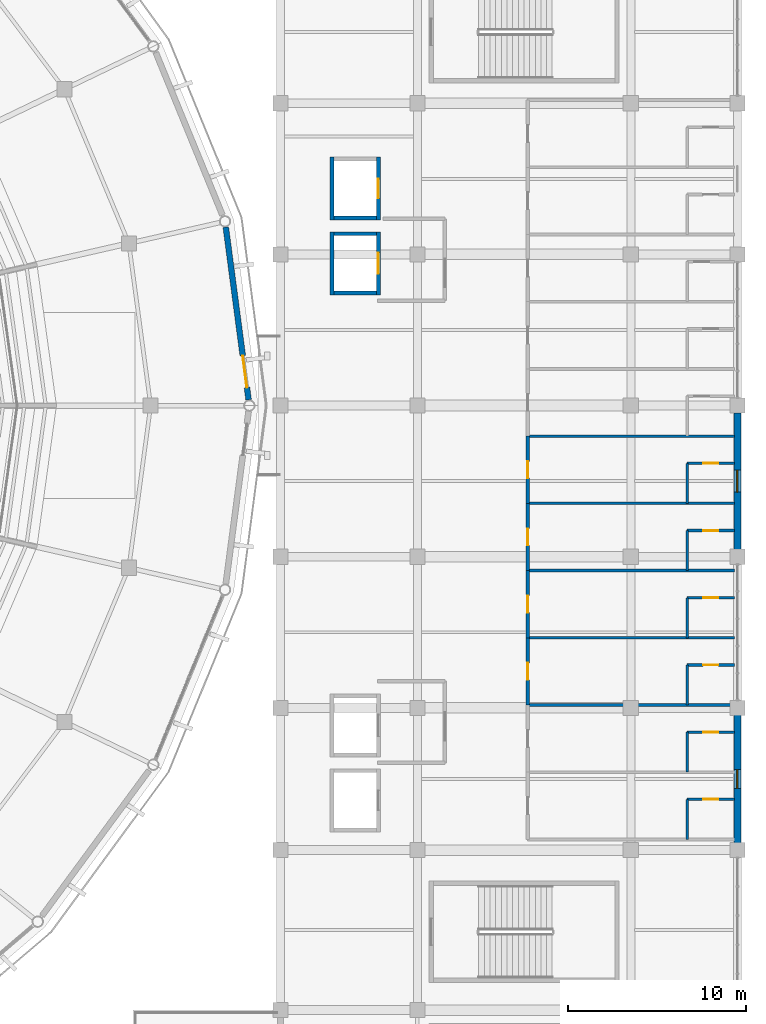
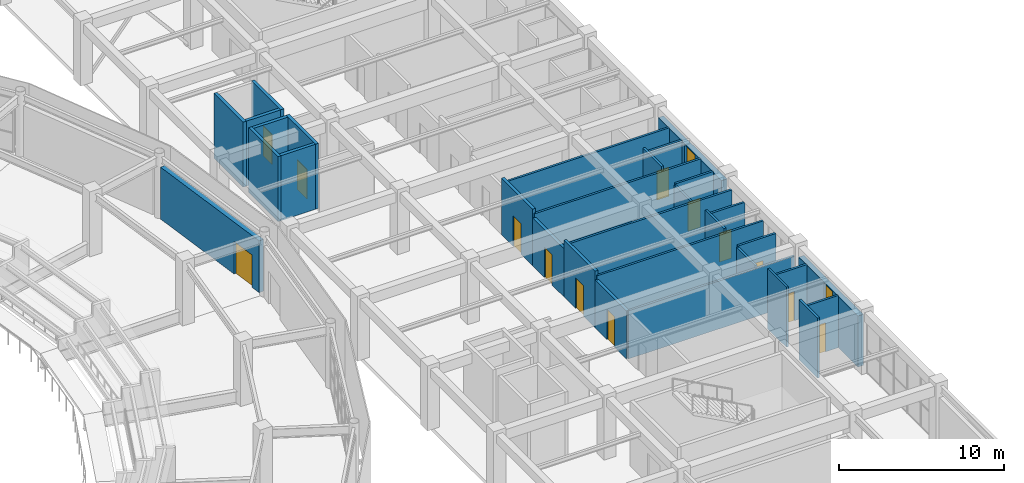
# One storey, part 104 of 122: 31 walls, 13 doors, 2 windows, 15 openings.
"""IFC4 building model written with IfcOpenShell, lengths in metres."""

from ifc_helpers import new_model, si_unit, direction, frame, frame_2d, origin, place, context, subcontext, project, spatial, rectangle, extrude, material, layer, layer_set, type_object, element, fill, save


model = new_model("IFC4")

# Units and contexts
model_context = context("Model", 3, precision=1e-05, world=origin(), true_north=direction((0.0, 1.0)))
body_context = subcontext(model_context, "Body", "Model", "MODEL_VIEW")
ifc_project = project(units=[si_unit("LENGTHUNIT", "METRE"), si_unit("AREAUNIT", "SQUARE_METRE"), si_unit("VOLUMEUNIT", "CUBIC_METRE"), si_unit("PLANEANGLEUNIT", "RADIAN"), si_unit("MASSUNIT", "GRAM", prefix="KILO")], contexts=[model_context])

# Site, building, storey
site_placement = place(None, origin())
site = spatial("IfcSite", under=ifc_project, at=site_placement, CompositionType="ELEMENT")
building_placement = place(site_placement, origin())
building = spatial("IfcBuilding", under=site, at=building_placement, Name="Cuetzalor Civic Arena", CompositionType="ELEMENT")
storey_placement = place(building_placement, frame((0.0, 0.0, 16.199951171875)))
storey = spatial("IfcBuildingStorey", under=building, at=storey_placement, Name="L03", CompositionType="ELEMENT", Elevation=16.199951171875)

# Wall, opening, door
ifc_material_1 = material(Name="Acoustic steel-stud gypsum partition", Category="steel")
ifc_layer_1 = layer(ifc_material_1, 0.14990234375)
ifc_layer_set_1 = layer_set([ifc_layer_1], Name="Acoustic steel-stud gypsum partition")
wall_type_1 = type_object("IfcWallType", Name="AcousticGypsumPartition_150", PredefinedType="PARTITIONING", material=ifc_layer_set_1)
wall_1_placement = place(storey_placement, frame((79.169921875, -22.14990234375, 0.0), z_axis=(0.0, 0.0, 1.0), x_axis=(1.0, 0.0, 0.0)))
wall_1 = element("IfcWall", 1, at=wall_1_placement, inside=storey, type_object=wall_type_1, Name="Interior Partition IWALL:L03:0439", PredefinedType="PARTITIONING", context=body_context, shape_type="SweptSolid", body=[
    extrude(rectangle(XDim=2.650146484375, YDim=0.14990234375, at=frame_2d((1.3251953125, 0.0))), origin(), (0.0, 0.0, 1.0), 3.844970703125),
])
opening_1_placement = place(wall_1_placement, frame((0.89990234375, 0.0, 0.0)))
opening_1 = element("IfcOpeningElement", 2, at=opening_1_placement, cuts=wall_1, Name="Opening ID-01", PredefinedType="OPENING", context=body_context, shape_type="SweptSolid", body=[
    extrude(rectangle(XDim=0.85009765625, YDim=2.14990234375, at=frame_2d((0.425048828125, 1.074951171875))), frame((0.0, 0.0849609375, 0.0), z_axis=(0.0, -1.0, 0.0), x_axis=(1.0, 0.0, 0.0)), (0.0, 0.0, 1.0), 0.169921875),
])
ifc_material_2 = material(Name="Painted steel frame and solid timber leaf", Category="steel")
door_type_1 = type_object("IfcDoorType", Name="InteriorSingleDoor_850x2150", OperationType="NOTDEFINED", PredefinedType="DOOR", material=ifc_material_2)
door_1_placement = place(opening_1_placement, origin())
door_1 = element("IfcDoor", 3, at=door_1_placement, inside=storey, type_object=door_type_1, Name="Door to Suite Bathroom 312", OperationType="SINGLE_SWING_LEFT", OverallHeight=2.14990234375, OverallWidth=0.85009765625, PredefinedType="DOOR", context=body_context, shape_type="SweptSolid", body=[
    extrude(rectangle(XDim=0.85009765625, YDim=2.14990234375, at=frame_2d((0.425048828125, 1.074951171875))), frame((0.0, 0.02490234375, 0.0), z_axis=(0.0, -1.0, 0.0), x_axis=(1.0, 0.0, 0.0)), (0.0, 0.0, 1.0), 0.050048828125),
])
fill(opening_1, door_1)

# Wall
wall_2_placement = place(storey_placement, frame((79.169921875, -24.39990234375, 0.0), z_axis=(0.0, 0.0, 1.0), x_axis=(0.0, 1.0, 0.0)))
element("IfcWall", 4, at=wall_2_placement, inside=storey, type_object=wall_type_1, Name="Interior Partition IWALL:L03:0440", PredefinedType="PARTITIONING", context=body_context, shape_type="SweptSolid", body=[
    extrude(rectangle(XDim=2.25, YDim=0.14990234375, at=frame_2d((1.125, 0.0))), origin(), (0.0, 0.0, 1.0), 4.43994140625),
])

# Wall, opening, door
wall_3_placement = place(storey_placement, frame((79.169921875, -18.3701171875, 0.0), z_axis=(0.0, 0.0, 1.0), x_axis=(1.0, 0.0, 0.0)))
wall_3 = element("IfcWall", 5, at=wall_3_placement, inside=storey, type_object=wall_type_1, Name="Interior Partition IWALL:L03:0443", PredefinedType="PARTITIONING", context=body_context, shape_type="SweptSolid", body=[
    extrude(rectangle(XDim=2.650146484375, YDim=0.14990234375, at=frame_2d((1.3251953125, 0.0))), origin(), (0.0, 0.0, 1.0), 3.844970703125),
])
opening_2_placement = place(wall_3_placement, frame((0.89990234375, 0.0, 0.0)))
opening_2 = element("IfcOpeningElement", 6, at=opening_2_placement, cuts=wall_3, Name="Opening ID-01", PredefinedType="OPENING", context=body_context, shape_type="SweptSolid", body=[
    extrude(rectangle(XDim=0.85009765625, YDim=2.14990234375, at=frame_2d((0.425048828125, 1.074951171875))), frame((0.0, 0.0849609375, 0.0), z_axis=(0.0, -1.0, 0.0), x_axis=(1.0, 0.0, 0.0)), (0.0, 0.0, 1.0), 0.169921875),
])
door_2_placement = place(opening_2_placement, origin())
door_2 = element("IfcDoor", 7, at=door_2_placement, inside=storey, type_object=door_type_1, Name="Door to Suite Bathroom 313", OperationType="SINGLE_SWING_LEFT", OverallHeight=2.14990234375, OverallWidth=0.85009765625, PredefinedType="DOOR", context=body_context, shape_type="SweptSolid", body=[
    extrude(rectangle(XDim=0.85009765625, YDim=2.14990234375, at=frame_2d((0.425048828125, 1.074951171875))), frame((0.0, 0.02490234375, 0.0), z_axis=(0.0, -1.0, 0.0), x_axis=(1.0, 0.0, 0.0)), (0.0, 0.0, 1.0), 0.050048828125),
])
fill(opening_2, door_2)

# Walls
wall_4_placement = place(storey_placement, frame((79.169921875, -20.6201171875, 0.0), z_axis=(0.0, 0.0, 1.0), x_axis=(0.0, 1.0, 0.0)))
element("IfcWall", 8, at=wall_4_placement, inside=storey, type_object=wall_type_1, Name="Interior Partition IWALL:L03:0444", PredefinedType="PARTITIONING", context=body_context, shape_type="SweptSolid", body=[
    extrude(rectangle(XDim=2.25, YDim=0.14990234375, at=frame_2d((1.125, 0.0))), origin(), (0.0, 0.0, 1.0), 4.43994140625),
])
wall_5_placement = place(storey_placement, frame((70.199951171875, -16.840087890625, 0.0), z_axis=(0.0, 0.0, 1.0), x_axis=(1.0, 0.0, 0.0)))
element("IfcWall", 9, at=wall_5_placement, inside=storey, type_object=wall_type_1, Name="Interior Partition IWALL:L03:0446", PredefinedType="PARTITIONING", context=body_context, shape_type="SweptSolid", body=[
    extrude(rectangle(XDim=11.6201171875, YDim=0.14990234375, at=frame_2d((5.81005859375, 0.0))), origin(), (0.0, 0.0, 1.0), 3.545166015625),
])

# Wall, opening, door
wall_6_placement = place(storey_placement, frame((79.169921875, -14.590087890625, 0.0), z_axis=(0.0, 0.0, 1.0), x_axis=(1.0, 0.0, 0.0)))
wall_6 = element("IfcWall", 10, at=wall_6_placement, inside=storey, type_object=wall_type_1, Name="Interior Partition IWALL:L03:0447", PredefinedType="PARTITIONING", context=body_context, shape_type="SweptSolid", body=[
    extrude(rectangle(XDim=2.650146484375, YDim=0.14990234375, at=frame_2d((1.3251953125, 0.0))), origin(), (0.0, 0.0, 1.0), 3.844970703125),
])
opening_3_placement = place(wall_6_placement, frame((0.89990234375, 0.0, 0.0)))
opening_3 = element("IfcOpeningElement", 11, at=opening_3_placement, cuts=wall_6, Name="Opening ID-01", PredefinedType="OPENING", context=body_context, shape_type="SweptSolid", body=[
    extrude(rectangle(XDim=0.85009765625, YDim=2.14990234375, at=frame_2d((0.425048828125, 1.074951171875))), frame((0.0, 0.0849609375, 0.0), z_axis=(0.0, -1.0, 0.0), x_axis=(1.0, 0.0, 0.0)), (0.0, 0.0, 1.0), 0.169921875),
])
door_3_placement = place(opening_3_placement, origin())
door_3 = element("IfcDoor", 12, at=door_3_placement, inside=storey, type_object=door_type_1, Name="Door to Suite Bathroom 314", OperationType="SINGLE_SWING_LEFT", OverallHeight=2.14990234375, OverallWidth=0.85009765625, PredefinedType="DOOR", context=body_context, shape_type="SweptSolid", body=[
    extrude(rectangle(XDim=0.85009765625, YDim=2.14990234375, at=frame_2d((0.425048828125, 1.074951171875))), frame((0.0, 0.02490234375, 0.0), z_axis=(0.0, -1.0, 0.0), x_axis=(1.0, 0.0, 0.0)), (0.0, 0.0, 1.0), 0.050048828125),
])
fill(opening_3, door_3)

# Walls
wall_7_placement = place(storey_placement, frame((79.169921875, -16.840087890625, 0.0), z_axis=(0.0, 0.0, 1.0), x_axis=(0.0, 1.0, 0.0)))
element("IfcWall", 13, at=wall_7_placement, inside=storey, type_object=wall_type_1, Name="Interior Partition IWALL:L03:0448", PredefinedType="PARTITIONING", context=body_context, shape_type="SweptSolid", body=[
    extrude(rectangle(XDim=2.25, YDim=0.14990234375, at=frame_2d((1.125, 0.0))), origin(), (0.0, 0.0, 1.0), 3.7451171875),
])
wall_8_placement = place(storey_placement, frame((70.199951171875, -13.06005859375, 0.0), z_axis=(0.0, 0.0, 1.0), x_axis=(1.0, 0.0, 0.0)))
element("IfcWall", 14, at=wall_8_placement, inside=storey, type_object=wall_type_1, Name="Interior Partition IWALL:L03:0450", PredefinedType="PARTITIONING", context=body_context, shape_type="SweptSolid", body=[
    extrude(rectangle(XDim=11.6201171875, YDim=0.14990234375, at=frame_2d((5.81005859375, 0.0))), origin(), (0.0, 0.0, 1.0), 3.844970703125),
])

# Wall, opening, door
wall_9_placement = place(storey_placement, frame((79.169921875, -10.81005859375, 0.0), z_axis=(0.0, 0.0, 1.0), x_axis=(1.0, 0.0, 0.0)))
wall_9 = element("IfcWall", 15, at=wall_9_placement, inside=storey, type_object=wall_type_1, Name="Interior Partition IWALL:L03:0451", PredefinedType="PARTITIONING", context=body_context, shape_type="SweptSolid", body=[
    extrude(rectangle(XDim=2.650146484375, YDim=0.14990234375, at=frame_2d((1.3251953125, 0.0))), origin(), (0.0, 0.0, 1.0), 3.844970703125),
])
opening_4_placement = place(wall_9_placement, frame((0.89990234375, 0.0, 0.0)))
opening_4 = element("IfcOpeningElement", 16, at=opening_4_placement, cuts=wall_9, Name="Opening ID-01", PredefinedType="OPENING", context=body_context, shape_type="SweptSolid", body=[
    extrude(rectangle(XDim=0.85009765625, YDim=2.14990234375, at=frame_2d((0.425048828125, 1.074951171875))), frame((0.0, 0.0849609375, 0.0), z_axis=(0.0, -1.0, 0.0), x_axis=(1.0, 0.0, 0.0)), (0.0, 0.0, 1.0), 0.169921875),
])
door_4_placement = place(opening_4_placement, origin())
door_4 = element("IfcDoor", 17, at=door_4_placement, inside=storey, type_object=door_type_1, Name="Door to Suite Bathroom 315", OperationType="SINGLE_SWING_LEFT", OverallHeight=2.14990234375, OverallWidth=0.85009765625, PredefinedType="DOOR", context=body_context, shape_type="SweptSolid", body=[
    extrude(rectangle(XDim=0.85009765625, YDim=2.14990234375, at=frame_2d((0.425048828125, 1.074951171875))), frame((0.0, 0.02490234375, 0.0), z_axis=(0.0, -1.0, 0.0), x_axis=(1.0, 0.0, 0.0)), (0.0, 0.0, 1.0), 0.050048828125),
])
fill(opening_4, door_4)

# Walls
wall_10_placement = place(storey_placement, frame((79.169921875, -13.06005859375, 0.0), z_axis=(0.0, 0.0, 1.0), x_axis=(0.0, 1.0, 0.0)))
element("IfcWall", 18, at=wall_10_placement, inside=storey, type_object=wall_type_1, Name="Interior Partition IWALL:L03:0452", PredefinedType="PARTITIONING", context=body_context, shape_type="SweptSolid", body=[
    extrude(rectangle(XDim=2.25, YDim=0.14990234375, at=frame_2d((1.125, 0.0))), origin(), (0.0, 0.0, 1.0), 4.18212890625),
])
wall_11_placement = place(storey_placement, frame((70.199951171875, -9.280029296875, 0.0), z_axis=(0.0, 0.0, 1.0), x_axis=(1.0, 0.0, 0.0)))
element("IfcWall", 19, at=wall_11_placement, inside=storey, type_object=wall_type_1, Name="Interior Partition IWALL:L03:0454", PredefinedType="PARTITIONING", context=body_context, shape_type="SweptSolid", body=[
    extrude(rectangle(XDim=11.6201171875, YDim=0.14990234375, at=frame_2d((5.81005859375, 0.0))), origin(), (0.0, 0.0, 1.0), 3.844970703125),
])

# Wall, opening, door
wall_12_placement = place(storey_placement, frame((79.169921875, -7.030029296875, 0.0), z_axis=(0.0, 0.0, 1.0), x_axis=(1.0, 0.0, 0.0)))
wall_12 = element("IfcWall", 20, at=wall_12_placement, inside=storey, type_object=wall_type_1, Name="Interior Partition IWALL:L03:0455", PredefinedType="PARTITIONING", context=body_context, shape_type="SweptSolid", body=[
    extrude(rectangle(XDim=2.650146484375, YDim=0.14990234375, at=frame_2d((1.3251953125, 0.0))), origin(), (0.0, 0.0, 1.0), 3.844970703125),
])
opening_5_placement = place(wall_12_placement, frame((0.89990234375, 0.0, 0.0)))
opening_5 = element("IfcOpeningElement", 21, at=opening_5_placement, cuts=wall_12, Name="Opening ID-01", PredefinedType="OPENING", context=body_context, shape_type="SweptSolid", body=[
    extrude(rectangle(XDim=0.85009765625, YDim=2.14990234375, at=frame_2d((0.425048828125, 1.074951171875))), frame((0.0, 0.0849609375, 0.0), z_axis=(0.0, -1.0, 0.0), x_axis=(1.0, 0.0, 0.0)), (0.0, 0.0, 1.0), 0.169921875),
])
door_5_placement = place(opening_5_placement, origin())
door_5 = element("IfcDoor", 22, at=door_5_placement, inside=storey, type_object=door_type_1, Name="Door to Suite Bathroom 316", OperationType="SINGLE_SWING_LEFT", OverallHeight=2.14990234375, OverallWidth=0.85009765625, PredefinedType="DOOR", context=body_context, shape_type="SweptSolid", body=[
    extrude(rectangle(XDim=0.85009765625, YDim=2.14990234375, at=frame_2d((0.425048828125, 1.074951171875))), frame((0.0, 0.02490234375, 0.0), z_axis=(0.0, -1.0, 0.0), x_axis=(1.0, 0.0, 0.0)), (0.0, 0.0, 1.0), 0.050048828125),
])
fill(opening_5, door_5)

# Walls
wall_13_placement = place(storey_placement, frame((79.169921875, -9.280029296875, 0.0), z_axis=(0.0, 0.0, 1.0), x_axis=(0.0, 1.0, 0.0)))
element("IfcWall", 23, at=wall_13_placement, inside=storey, type_object=wall_type_1, Name="Interior Partition IWALL:L03:0456", PredefinedType="PARTITIONING", context=body_context, shape_type="SweptSolid", body=[
    extrude(rectangle(XDim=2.25, YDim=0.14990234375, at=frame_2d((1.125, 0.0))), origin(), (0.0, 0.0, 1.0), 3.7451171875),
])
wall_14_placement = place(storey_placement, frame((70.199951171875, -5.5, 0.0), z_axis=(0.0, 0.0, 1.0), x_axis=(1.0, 0.0, 0.0)))
element("IfcWall", 24, at=wall_14_placement, inside=storey, type_object=wall_type_1, Name="Interior Partition IWALL:L03:0458", PredefinedType="PARTITIONING", context=body_context, shape_type="SweptSolid", body=[
    extrude(rectangle(XDim=11.6201171875, YDim=0.14990234375, at=frame_2d((5.81005859375, 0.0))), origin(), (0.0, 0.0, 1.0), 3.844970703125),
])

# Wall, opening, door
wall_15_placement = place(storey_placement, frame((79.169921875, -3.25, 0.0), z_axis=(0.0, 0.0, 1.0), x_axis=(1.0, 0.0, 0.0)))
wall_15 = element("IfcWall", 25, at=wall_15_placement, inside=storey, type_object=wall_type_1, Name="Interior Partition IWALL:L03:0459", PredefinedType="PARTITIONING", context=body_context, shape_type="SweptSolid", body=[
    extrude(rectangle(XDim=2.650146484375, YDim=0.14990234375, at=frame_2d((1.3251953125, 0.0))), origin(), (0.0, 0.0, 1.0), 3.844970703125),
])
opening_6_placement = place(wall_15_placement, frame((0.89990234375, 0.0, 0.0)))
opening_6 = element("IfcOpeningElement", 26, at=opening_6_placement, cuts=wall_15, Name="Opening ID-01", PredefinedType="OPENING", context=body_context, shape_type="SweptSolid", body=[
    extrude(rectangle(XDim=0.85009765625, YDim=2.14990234375, at=frame_2d((0.425048828125, 1.074951171875))), frame((0.0, 0.0849609375, 0.0), z_axis=(0.0, -1.0, 0.0), x_axis=(1.0, 0.0, 0.0)), (0.0, 0.0, 1.0), 0.169921875),
])
door_6_placement = place(opening_6_placement, origin())
door_6 = element("IfcDoor", 27, at=door_6_placement, inside=storey, type_object=door_type_1, Name="Door to Suite Bathroom 317", OperationType="SINGLE_SWING_LEFT", OverallHeight=2.14990234375, OverallWidth=0.85009765625, PredefinedType="DOOR", context=body_context, shape_type="SweptSolid", body=[
    extrude(rectangle(XDim=0.85009765625, YDim=2.14990234375, at=frame_2d((0.425048828125, 1.074951171875))), frame((0.0, 0.02490234375, 0.0), z_axis=(0.0, -1.0, 0.0), x_axis=(1.0, 0.0, 0.0)), (0.0, 0.0, 1.0), 0.050048828125),
])
fill(opening_6, door_6)

# Walls
wall_16_placement = place(storey_placement, frame((79.169921875, -5.5, 0.0), z_axis=(0.0, 0.0, 1.0), x_axis=(0.0, 1.0, 0.0)))
element("IfcWall", 28, at=wall_16_placement, inside=storey, type_object=wall_type_1, Name="Interior Partition IWALL:L03:0460", PredefinedType="PARTITIONING", context=body_context, shape_type="SweptSolid", body=[
    extrude(rectangle(XDim=2.25, YDim=0.14990234375, at=frame_2d((1.125, 0.0))), origin(), (0.0, 0.0, 1.0), 4.18212890625),
])
wall_17_placement = place(storey_placement, frame((70.199951171875, -1.719970703125, 0.0), z_axis=(0.0, 0.0, 1.0), x_axis=(1.0, 0.0, 0.0)))
element("IfcWall", 29, at=wall_17_placement, inside=storey, type_object=wall_type_1, Name="Interior Partition IWALL:L03:0462", PredefinedType="PARTITIONING", context=body_context, shape_type="SweptSolid", body=[
    extrude(rectangle(XDim=11.6201171875, YDim=0.14990234375, at=frame_2d((5.81005859375, 0.0))), origin(), (0.0, 0.0, 1.0), 3.844970703125),
])

# Wall, opening, door
ifc_material_3 = material(Name="Fire-rated masonry and gypsum partition", Category="masonry")
ifc_layer_2 = layer(ifc_material_3, 0.199951171875)
ifc_layer_set_2 = layer_set([ifc_layer_2], Name="Fire-rated masonry and gypsum partition")
wall_type_2 = type_object("IfcWallType", Name="FireCompartmentWall_200", PredefinedType="PARTITIONING", material=ifc_layer_set_2)
wall_18_placement = place(storey_placement, frame((70.199951171875, -16.840087890625, 0.0), z_axis=(0.0, 0.0, 1.0), x_axis=(0.0, 1.0, 0.0)))
wall_18 = element("IfcWall", 30, at=wall_18_placement, inside=storey, type_object=wall_type_2, Name="Interior Partition IWALL:L03:0449", PredefinedType="PARTITIONING", context=body_context, shape_type="SweptSolid", body=[
    extrude(rectangle(XDim=3.780029296875, YDim=0.199951171875, at=frame_2d((1.89013671875, 0.0))), origin(), (0.0, 0.0, 1.0), 3.545166015625),
])
opening_7_placement = place(wall_18_placement, frame((1.4150390625, 0.0, 0.0)))
opening_7 = element("IfcOpeningElement", 31, at=opening_7_placement, cuts=wall_18, Name="Opening ID-05", PredefinedType="OPENING", context=body_context, shape_type="SweptSolid", body=[
    extrude(rectangle(XDim=0.949951171875, YDim=2.25, at=frame_2d((0.47509765625, 1.125))), frame((0.0, 0.10986328125, 0.0), z_axis=(0.0, -1.0, 0.0), x_axis=(1.0, 0.0, 0.0)), (0.0, 0.0, 1.0), 0.219970703125),
])
ifc_material_4 = material(Name="Bronze-clad fire-rated acoustic timber door", Category="wood")
door_type_2 = type_object("IfcDoorType", Name="SuiteEntryDoor_950x2150", OperationType="NOTDEFINED", PredefinedType="DOOR", material=ifc_material_4)
door_7_placement = place(opening_7_placement, origin())
door_7 = element("IfcDoor", 32, at=door_7_placement, inside=storey, type_object=door_type_2, Name="Door to Private Viewing Suite 314", OperationType="SINGLE_SWING_RIGHT", OverallHeight=2.25, OverallWidth=0.949951171875, PredefinedType="DOOR", context=body_context, shape_type="SweptSolid", body=[
    extrude(rectangle(XDim=0.949951171875, YDim=2.25, at=frame_2d((0.47509765625, 1.125))), frame((0.0, 0.02490234375, 0.0), z_axis=(0.0, -1.0, 0.0), x_axis=(1.0, 0.0, 0.0)), (0.0, 0.0, 1.0), 0.050048828125),
])
fill(opening_7, door_7)

wall_19_placement = place(storey_placement, frame((70.199951171875, -13.06005859375, 0.0), z_axis=(0.0, 0.0, 1.0), x_axis=(0.0, 1.0, 0.0)))
wall_19 = element("IfcWall", 33, at=wall_19_placement, inside=storey, type_object=wall_type_2, Name="Interior Partition IWALL:L03:0453", PredefinedType="PARTITIONING", context=body_context, shape_type="SweptSolid", body=[
    extrude(rectangle(XDim=3.780029296875, YDim=0.199951171875, at=frame_2d((1.89013671875, 0.0))), origin(), (0.0, 0.0, 1.0), 4.18212890625),
])
opening_8_placement = place(wall_19_placement, frame((1.4150390625, 0.0, 0.0)))
opening_8 = element("IfcOpeningElement", 34, at=opening_8_placement, cuts=wall_19, Name="Opening ID-05", PredefinedType="OPENING", context=body_context, shape_type="SweptSolid", body=[
    extrude(rectangle(XDim=0.949951171875, YDim=2.25, at=frame_2d((0.47509765625, 1.125))), frame((0.0, 0.10986328125, 0.0), z_axis=(0.0, -1.0, 0.0), x_axis=(1.0, 0.0, 0.0)), (0.0, 0.0, 1.0), 0.219970703125),
])
door_8_placement = place(opening_8_placement, origin())
door_8 = element("IfcDoor", 35, at=door_8_placement, inside=storey, type_object=door_type_2, Name="Door to Private Viewing Suite 315", OperationType="SINGLE_SWING_RIGHT", OverallHeight=2.25, OverallWidth=0.949951171875, PredefinedType="DOOR", context=body_context, shape_type="SweptSolid", body=[
    extrude(rectangle(XDim=0.949951171875, YDim=2.25, at=frame_2d((0.47509765625, 1.125))), frame((0.0, 0.02490234375, 0.0), z_axis=(0.0, -1.0, 0.0), x_axis=(1.0, 0.0, 0.0)), (0.0, 0.0, 1.0), 0.050048828125),
])
fill(opening_8, door_8)

wall_20_placement = place(storey_placement, frame((70.199951171875, -9.280029296875, 0.0), z_axis=(0.0, 0.0, 1.0), x_axis=(0.0, 1.0, 0.0)))
wall_20 = element("IfcWall", 36, at=wall_20_placement, inside=storey, type_object=wall_type_2, Name="Interior Partition IWALL:L03:0457", PredefinedType="PARTITIONING", context=body_context, shape_type="SweptSolid", body=[
    extrude(rectangle(XDim=3.780029296875, YDim=0.199951171875, at=frame_2d((1.89013671875, 0.0))), origin(), (0.0, 0.0, 1.0), 3.545166015625),
])
opening_9_placement = place(wall_20_placement, frame((1.4150390625, 0.0, 0.0)))
opening_9 = element("IfcOpeningElement", 37, at=opening_9_placement, cuts=wall_20, Name="Opening ID-05", PredefinedType="OPENING", context=body_context, shape_type="SweptSolid", body=[
    extrude(rectangle(XDim=0.949951171875, YDim=2.25, at=frame_2d((0.47509765625, 1.125))), frame((0.0, 0.10986328125, 0.0), z_axis=(0.0, -1.0, 0.0), x_axis=(1.0, 0.0, 0.0)), (0.0, 0.0, 1.0), 0.219970703125),
])
door_9_placement = place(opening_9_placement, origin())
door_9 = element("IfcDoor", 38, at=door_9_placement, inside=storey, type_object=door_type_2, Name="Door to Private Viewing Suite 316", OperationType="SINGLE_SWING_RIGHT", OverallHeight=2.25, OverallWidth=0.949951171875, PredefinedType="DOOR", context=body_context, shape_type="SweptSolid", body=[
    extrude(rectangle(XDim=0.949951171875, YDim=2.25, at=frame_2d((0.47509765625, 1.125))), frame((0.0, 0.02490234375, 0.0), z_axis=(0.0, -1.0, 0.0), x_axis=(1.0, 0.0, 0.0)), (0.0, 0.0, 1.0), 0.050048828125),
])
fill(opening_9, door_9)

wall_21_placement = place(storey_placement, frame((70.199951171875, -5.5, 0.0), z_axis=(0.0, 0.0, 1.0), x_axis=(0.0, 1.0, 0.0)))
wall_21 = element("IfcWall", 39, at=wall_21_placement, inside=storey, type_object=wall_type_2, Name="Interior Partition IWALL:L03:0461", PredefinedType="PARTITIONING", context=body_context, shape_type="SweptSolid", body=[
    extrude(rectangle(XDim=3.780029296875, YDim=0.199951171875, at=frame_2d((1.89013671875, 0.0))), origin(), (0.0, 0.0, 1.0), 4.18212890625),
])
opening_10_placement = place(wall_21_placement, frame((1.4150390625, 0.0, 0.0)))
opening_10 = element("IfcOpeningElement", 40, at=opening_10_placement, cuts=wall_21, Name="Opening ID-05", PredefinedType="OPENING", context=body_context, shape_type="SweptSolid", body=[
    extrude(rectangle(XDim=0.949951171875, YDim=2.25, at=frame_2d((0.47509765625, 1.125))), frame((0.0, 0.10986328125, 0.0), z_axis=(0.0, -1.0, 0.0), x_axis=(1.0, 0.0, 0.0)), (0.0, 0.0, 1.0), 0.219970703125),
])
door_10_placement = place(opening_10_placement, origin())
door_10 = element("IfcDoor", 41, at=door_10_placement, inside=storey, type_object=door_type_2, Name="Door to Private Viewing Suite 317", OperationType="SINGLE_SWING_RIGHT", OverallHeight=2.25, OverallWidth=0.949951171875, PredefinedType="DOOR", context=body_context, shape_type="SweptSolid", body=[
    extrude(rectangle(XDim=0.949951171875, YDim=2.25, at=frame_2d((0.47509765625, 1.125))), frame((0.0, 0.02490234375, 0.0), z_axis=(0.0, -1.0, 0.0), x_axis=(1.0, 0.0, 0.0)), (0.0, 0.0, 1.0), 0.050048828125),
])
fill(opening_10, door_10)

ifc_material_5 = material(Name="Precast concrete C40/50 insulated cladding", Category="concrete")
ifc_layer_3 = layer(ifc_material_5, 0.320068359375)
ifc_layer_set_3 = layer_set([ifc_layer_3], Name="Precast concrete C40/50 insulated cladding")
wall_type_3 = type_object("IfcWallType", Name="InsulatedPrecastWall_320", PredefinedType="SOLIDWALL", material=ifc_layer_set_3)
wall_22_placement = place(storey_placement, frame((53.224853515625, 10.036865234375, 0.0), z_axis=(0.0, 0.0, 1.0), x_axis=(0.130894016981, -0.991396366908, 0.0)))
wall_22 = element("IfcWall", 42, at=wall_22_placement, inside=storey, type_object=wall_type_3, Name="Drum Acoustic Backing Wall L03-041", PredefinedType="SOLIDWALL", context=body_context, shape_type="SweptSolid", body=[
    extrude(rectangle(XDim=9.799560546875, YDim=0.320068359375, at=frame_2d((4.89990234375, 0.0))), origin(), (0.0, 0.0, 1.0), 3.83203125),
])
opening_11_placement = place(wall_22_placement, frame((7.299560546875, 0.0, 0.0)))
opening_11 = element("IfcOpeningElement", 43, at=opening_11_placement, cuts=wall_22, Name="Opening ED-09", PredefinedType="OPENING", context=body_context, shape_type="SweptSolid", body=[
    extrude(rectangle(XDim=1.800048828125, YDim=2.39990234375, at=frame_2d((0.89990234375, 1.199951171875))), frame((0.0, 0.169921875, 0.0), z_axis=(0.0, -1.0, 0.0), x_axis=(1.0, 0.0, 0.0)), (0.0, 0.0, 1.0), 0.340087890625),
])
ifc_material_6 = material(Name="Thermally broken bronze steel and laminated glass", Category="steel")
door_type_3 = type_object("IfcDoorType", Name="RoofGardenGlazedDoor_1800x2400", OperationType="DOUBLE_DOOR_SINGLE_SWING", PredefinedType="DOOR", material=ifc_material_6)
door_11_placement = place(opening_11_placement, origin())
door_11 = element("IfcDoor", 44, at=door_11_placement, inside=storey, type_object=door_type_3, Name="Seismic Bridge Circulation Door L03-S01", OperationType="DOUBLE_DOOR_SINGLE_SWING", OverallHeight=2.39990234375, OverallWidth=1.800048828125, PredefinedType="DOOR", context=body_context, shape_type="SweptSolid", body=[
    extrude(rectangle(XDim=1.800048828125, YDim=2.39990234375, at=frame_2d((0.89990234375, 1.199951171875))), frame((0.0, 0.02490234375, 0.0), z_axis=(0.0, -1.0, 0.0), x_axis=(1.0, 0.0, 0.0)), (0.0, 0.0, 1.0), 0.050048828125),
])
fill(opening_11, door_11)

# Walls
ifc_material_7 = material(Name="Concrete C40/50", Category="concrete")
ifc_layer_4 = layer(ifc_material_7, 0.219970703125)
ifc_layer_set_4 = layer_set([ifc_layer_4], Name="Concrete C40/50")
wall_type_4 = type_object("IfcWallType", Name="LiftShaftShearWall_220", PredefinedType="SHEAR", material=ifc_layer_set_4)
wall_23_placement = place(storey_placement, frame((59.18994140625, 6.22998046875, 0.0), z_axis=(0.0, 0.0, 1.0), x_axis=(0.0, 1.0, 0.0)))
element("IfcWall", 45, at=wall_23_placement, inside=storey, type_object=wall_type_4, Name="Lift Shaft Wall LF-04-L03-W", PredefinedType="SHEAR", context=body_context, shape_type="SweptSolid", body=[
    extrude(rectangle(XDim=3.5400390625, YDim=0.219970703125, at=frame_2d((1.77001953125, 0.0))), origin(), (0.0, 0.0, 1.0), 4.800048828125),
])
wall_24_placement = place(storey_placement, frame((59.300048828125, 9.659912109375, 0.0), z_axis=(0.0, 0.0, 1.0), x_axis=(1.0, 0.0, 0.0)))
element("IfcWall", 46, at=wall_24_placement, inside=storey, type_object=wall_type_4, Name="Lift Shaft Wall LF-04-L03-N", PredefinedType="SHEAR", context=body_context, shape_type="SweptSolid", body=[
    extrude(rectangle(XDim=2.39990234375, YDim=0.219970703125, at=frame_2d((1.199951171875, 0.0))), origin(), (0.0, 0.0, 1.0), 4.800048828125),
])

# Wall, opening, door
wall_25_placement = place(storey_placement, frame((61.81005859375, 9.77001953125, 0.0), z_axis=(0.0, 0.0, 1.0), x_axis=(0.0, -1.0, 0.0)))
wall_25 = element("IfcWall", 47, at=wall_25_placement, inside=storey, type_object=wall_type_4, Name="Lift Shaft Wall LF-04-L03-E", PredefinedType="SHEAR", context=body_context, shape_type="SweptSolid", body=[
    extrude(rectangle(XDim=3.5400390625, YDim=0.219970703125, at=frame_2d((1.77001953125, 0.0))), origin(), (0.0, 0.0, 1.0), 4.800048828125),
])
opening_12_placement = place(wall_25_placement, frame((1.169921875, 0.0, 0.0)))
opening_12 = element("IfcOpeningElement", 48, at=opening_12_placement, cuts=wall_25, Name="Opening LD-02", PredefinedType="OPENING", context=body_context, shape_type="SweptSolid", body=[
    extrude(rectangle(XDim=1.199951171875, YDim=2.199951171875, at=frame_2d((0.60009765625, 1.10009765625))), frame((0.0, 0.1201171875, 0.0), z_axis=(0.0, -1.0, 0.0), x_axis=(1.0, 0.0, 0.0)), (0.0, 0.0, 1.0), 0.239990234375),
])
ifc_material_8 = material(Name="Fire-rated stainless steel sliding lift landing door", Category="steel")
door_type_4 = type_object("IfcDoorType", Name="LiftLandingSlidingDoor_1200x2200", OperationType="SLIDING_TO_LEFT", PredefinedType="DOOR", material=ifc_material_8)
door_12_placement = place(opening_12_placement, origin())
door_12 = element("IfcDoor", 49, at=door_12_placement, inside=storey, type_object=door_type_4, Name="Lift Landing Sliding Door LF-04 L03", OperationType="SLIDING_TO_LEFT", OverallHeight=2.199951171875, OverallWidth=1.199951171875, PredefinedType="DOOR", context=body_context, shape_type="SweptSolid", body=[
    extrude(rectangle(XDim=1.199951171875, YDim=2.199951171875, at=frame_2d((0.60009765625, 1.10009765625))), frame((0.0, 0.02490234375, 0.0), z_axis=(0.0, -1.0, 0.0), x_axis=(1.0, 0.0, 0.0)), (0.0, 0.0, 1.0), 0.050048828125),
])
fill(opening_12, door_12)

# Walls
wall_26_placement = place(storey_placement, frame((61.699951171875, 6.340087890625, 0.0), z_axis=(0.0, 0.0, 1.0), x_axis=(-1.0, 0.0, 0.0)))
element("IfcWall", 50, at=wall_26_placement, inside=storey, type_object=wall_type_4, Name="Lift Shaft Wall LF-04-L03-S", PredefinedType="SHEAR", context=body_context, shape_type="SweptSolid", body=[
    extrude(rectangle(XDim=2.39990234375, YDim=0.219970703125, at=frame_2d((1.199951171875, 0.0))), origin(), (0.0, 0.0, 1.0), 4.800048828125),
])
wall_27_placement = place(storey_placement, frame((59.18994140625, 10.429931640625, 0.0), z_axis=(0.0, 0.0, 1.0), x_axis=(0.0, 1.0, 0.0)))
element("IfcWall", 51, at=wall_27_placement, inside=storey, type_object=wall_type_4, Name="Lift Shaft Wall LP-06-L03-W", PredefinedType="SHEAR", context=body_context, shape_type="SweptSolid", body=[
    extrude(rectangle(XDim=3.5400390625, YDim=0.219970703125, at=frame_2d((1.77001953125, 0.0))), origin(), (0.0, 0.0, 1.0), 4.800048828125),
])

# Wall, opening, door
wall_28_placement = place(storey_placement, frame((61.81005859375, 13.969970703125, 0.0), z_axis=(0.0, 0.0, 1.0), x_axis=(0.0, -1.0, 0.0)))
wall_28 = element("IfcWall", 52, at=wall_28_placement, inside=storey, type_object=wall_type_4, Name="Lift Shaft Wall LP-06-L03-E", PredefinedType="SHEAR", context=body_context, shape_type="SweptSolid", body=[
    extrude(rectangle(XDim=3.5400390625, YDim=0.219970703125, at=frame_2d((1.77001953125, 0.0))), origin(), (0.0, 0.0, 1.0), 4.800048828125),
])
opening_13_placement = place(wall_28_placement, frame((1.219970703125, 0.0, 0.0)))
opening_13 = element("IfcOpeningElement", 53, at=opening_13_placement, cuts=wall_28, Name="Opening LD-01", PredefinedType="OPENING", context=body_context, shape_type="SweptSolid", body=[
    extrude(rectangle(XDim=1.10009765625, YDim=2.199951171875, at=frame_2d((0.550048828125, 1.10009765625))), frame((0.0, 0.1201171875, 0.0), z_axis=(0.0, -1.0, 0.0), x_axis=(1.0, 0.0, 0.0)), (0.0, 0.0, 1.0), 0.239990234375),
])
ifc_material_9 = material(Name="Brushed stainless steel sliding lift landing door", Category="steel")
door_type_5 = type_object("IfcDoorType", Name="LiftLandingSlidingDoor_1100x2200", OperationType="SLIDING_TO_LEFT", PredefinedType="DOOR", material=ifc_material_9)
door_13_placement = place(opening_13_placement, origin())
door_13 = element("IfcDoor", 54, at=door_13_placement, inside=storey, type_object=door_type_5, Name="Lift Landing Sliding Door LP-06 L03", OperationType="SLIDING_TO_LEFT", OverallHeight=2.199951171875, OverallWidth=1.10009765625, PredefinedType="DOOR", context=body_context, shape_type="SweptSolid", body=[
    extrude(rectangle(XDim=1.10009765625, YDim=2.199951171875, at=frame_2d((0.550048828125, 1.10009765625))), frame((0.0, 0.02490234375, 0.0), z_axis=(0.0, -1.0, 0.0), x_axis=(1.0, 0.0, 0.0)), (0.0, 0.0, 1.0), 0.050048828125),
])
fill(opening_13, door_13)

# Wall
wall_29_placement = place(storey_placement, frame((61.699951171875, 10.5400390625, 0.0), z_axis=(0.0, 0.0, 1.0), x_axis=(-1.0, 0.0, 0.0)))
element("IfcWall", 55, at=wall_29_placement, inside=storey, type_object=wall_type_4, Name="Lift Shaft Wall LP-06-L03-S", PredefinedType="SHEAR", context=body_context, shape_type="SweptSolid", body=[
    extrude(rectangle(XDim=2.39990234375, YDim=0.219970703125, at=frame_2d((1.199951171875, 0.0))), origin(), (0.0, 0.0, 1.0), 4.800048828125),
])

# Wall, opening, window
ifc_material_10 = material(Name="Polychrome Talavera ceramic on Concrete C35/45", Category="concrete")
ifc_layer_5 = layer(ifc_material_10, 0.3798828125)
ifc_layer_set_5 = layer_set([ifc_layer_5], Name="Polychrome Talavera ceramic on Concrete C35/45")
wall_type_5 = type_object("IfcWallType", Name="TalaveraSpandrelWall_380", PredefinedType="SOLIDWALL", material=ifc_layer_set_5)
wall_30_placement = place(storey_placement, frame((82.0, -17.406982421875, 0.0), z_axis=(0.0, 0.0, 1.0), x_axis=(0.0, -1.0, 0.0)))
wall_30 = element("IfcWall", 56, at=wall_30_placement, inside=storey, type_object=wall_type_5, Name="V4E Outer Talavera Wall L03-170", PredefinedType="SOLIDWALL", context=body_context, shape_type="SweptSolid", body=[
    extrude(rectangle(XDim=7.18603515625, YDim=0.3798828125, at=frame_2d((3.593017578125, 0.0))), origin(), (0.0, 0.0, 1.0), 3.760009765625),
])
opening_14_placement = place(wall_30_placement, frame((3.068115234375, 0.0, 0.89990234375)))
opening_14 = element("IfcOpeningElement", 57, at=opening_14_placement, cuts=wall_30, Name="Opening WN-55", PredefinedType="OPENING", context=body_context, shape_type="SweptSolid", body=[
    extrude(rectangle(XDim=1.050048828125, YDim=2.800048828125, at=frame_2d((0.52490234375, 1.39990234375))), frame((0.0, 0.199951171875, 0.0), z_axis=(0.0, -1.0, 0.0), x_axis=(1.0, 0.0, 0.0)), (0.0, 0.0, 1.0), 0.39990234375),
])
ifc_material_11 = material(Name="Anodised bronze aluminium and low-E solar glass", Category="aluminium")
window_type_1 = type_object("IfcWindowType", Name="BronzeThermalWindow_1050x2800", PartitioningType="SINGLE_PANEL", PredefinedType="WINDOW", material=ifc_material_11)
window_1_placement = place(opening_14_placement, origin())
window_1 = element("IfcWindow", 58, at=window_1_placement, inside=storey, type_object=window_type_1, Name="V4E Facade Window L03-0055", OverallHeight=2.800048828125, OverallWidth=1.050048828125, PartitioningType="SINGLE_PANEL", PredefinedType="WINDOW", context=body_context, shape_type="SweptSolid", body=[
    extrude(rectangle(XDim=1.050048828125, YDim=2.800048828125, at=frame_2d((0.52490234375, 1.39990234375))), frame((0.0, 0.030029296875, 0.0), z_axis=(0.0, -1.0, 0.0), x_axis=(1.0, 0.0, 0.0)), (0.0, 0.0, 1.0), 0.06005859375),
])
fill(opening_14, window_1)

wall_31_placement = place(storey_placement, frame((82.0, -0.406982421875, 0.0), z_axis=(0.0, 0.0, 1.0), x_axis=(0.0, -1.0, 0.0)))
wall_31 = element("IfcWall", 59, at=wall_31_placement, inside=storey, type_object=wall_type_5, Name="V4E Outer Talavera Wall L03-171", PredefinedType="SOLIDWALL", context=body_context, shape_type="SweptSolid", body=[
    extrude(rectangle(XDim=7.68603515625, YDim=0.3798828125, at=frame_2d((3.843017578125, 0.0))), origin(), (0.0, 0.0, 1.0), 3.760009765625),
])
opening_15_placement = place(wall_31_placement, frame((3.218017578125, 0.0, 0.89990234375)))
opening_15 = element("IfcOpeningElement", 60, at=opening_15_placement, cuts=wall_31, Name="Opening WN-56", PredefinedType="OPENING", context=body_context, shape_type="SweptSolid", body=[
    extrude(rectangle(XDim=1.25, YDim=2.800048828125, at=frame_2d((0.625, 1.39990234375))), frame((0.0, 0.199951171875, 0.0), z_axis=(0.0, -1.0, 0.0), x_axis=(1.0, 0.0, 0.0)), (0.0, 0.0, 1.0), 0.39990234375),
])
ifc_material_12 = material(Name="Anodised bronze aluminium and low-E solar glass", Category="aluminium")
window_type_2 = type_object("IfcWindowType", Name="BronzeThermalWindow_1250x2800", PartitioningType="SINGLE_PANEL", PredefinedType="WINDOW", material=ifc_material_12)
window_2_placement = place(opening_15_placement, origin())
window_2 = element("IfcWindow", 61, at=window_2_placement, inside=storey, type_object=window_type_2, Name="V4E Facade Window L03-0056", OverallHeight=2.800048828125, OverallWidth=1.25, PartitioningType="SINGLE_PANEL", PredefinedType="WINDOW", context=body_context, shape_type="SweptSolid", body=[
    extrude(rectangle(XDim=1.25, YDim=2.800048828125, at=frame_2d((0.625, 1.39990234375))), frame((0.0, 0.030029296875, 0.0), z_axis=(0.0, -1.0, 0.0), x_axis=(1.0, 0.0, 0.0)), (0.0, 0.0, 1.0), 0.06005859375),
])
fill(opening_15, window_2)

save(model, "model.ifc")
